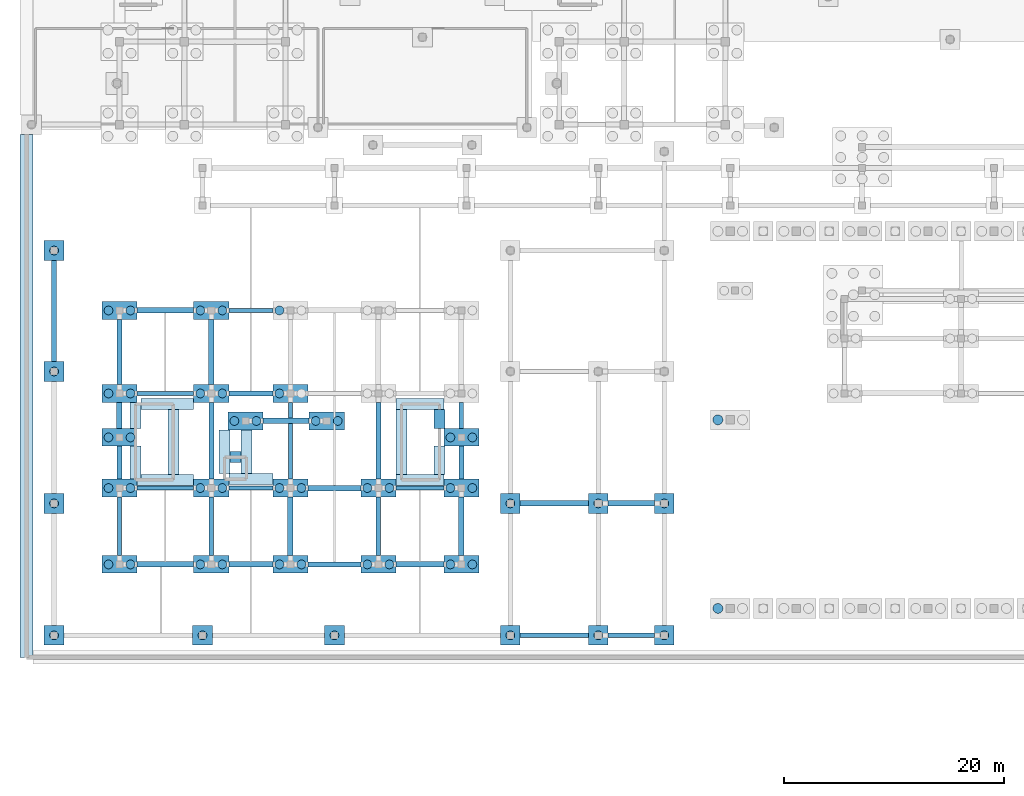
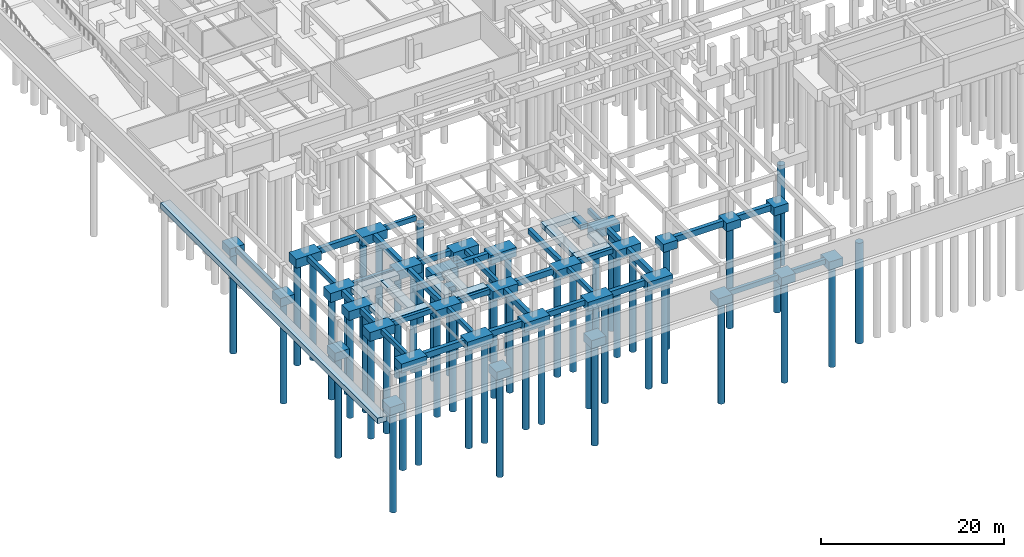
# One storey, part 1 of 35: 78 footings, 52 piles.
"""IFC4 building model written with IfcOpenShell, lengths in metres."""

from ifc_helpers import new_model, si_unit, direction, frame, origin, origin_2d, place, context, subcontext, project, spatial, rectangle, circle, extrude, material, material_profile, profile_set, type_object, element, save


model = new_model("IFC4")

# Units and contexts
model_context = context("Model", 3, precision=1e-05, world=origin(), true_north=direction((0.0, 1.0)))
body_context = subcontext(model_context, "Body", "Model", "MODEL_VIEW")
ifc_project = project(units=[si_unit("LENGTHUNIT", "METRE"), si_unit("AREAUNIT", "SQUARE_METRE"), si_unit("VOLUMEUNIT", "CUBIC_METRE"), si_unit("PLANEANGLEUNIT", "RADIAN"), si_unit("MASSUNIT", "GRAM", prefix="KILO")], contexts=[model_context])

# Site, building, storey
site_placement = place(None, origin())
site = spatial("IfcSite", under=ifc_project, at=site_placement, CompositionType="ELEMENT")
building_placement = place(site_placement, origin())
building = spatial("IfcBuilding", under=site, at=building_placement, Name="Keldmere Railside Commons", CompositionType="ELEMENT")
storey_placement = place(building_placement, frame((0.0, 0.0, -3.840087890625)))
storey = spatial("IfcBuildingStorey", under=building, at=storey_placement, Name="B1", CompositionType="ELEMENT", Elevation=-3.840087890625)

# Piles
ifc_material_1 = material(Name="Concrete H-30 (C30/37)", Category="concrete")
ifc_material_profile_1 = material_profile(ifc_material_1, circle(Radius=0.39990234375, at=origin_2d()), Name="PILE-D800")
ifc_profile_set_1 = profile_set([ifc_material_profile_1], Name="Concrete H-30 (C30/37)")
pile_type_1 = type_object("IfcPileType", Name="Bored Concrete Pile D800", PredefinedType="BORED", material=ifc_profile_set_1)
for number, where, z_axis, x_axis, name in (
    (1, (2.5, 10.0, -1.0), (0.0, 0.0, -1.0), (1.0, 0.0, 0.0), "BP-800 PILE-0033"),
    (2, (2.5, 22.0, -1.0), (0.0, 0.0, -1.0), (1.0, 0.0, 0.0), "BP-800 PILE-0034"),
    (3, (2.5, 34.0, -1.0), (0.0, 0.0, -1.0), (1.0, 0.0, 0.0), "BP-800 PILE-0035"),
    (4, (2.5, 45.0, -1.0), (0.0, 0.0, -1.0), (1.0, 0.0, 0.0), "BP-800 PILE-0036"),
):
    element("IfcPile", number, at=place(storey_placement, frame(where, z_axis=z_axis, x_axis=x_axis)), inside=storey, type_object=pile_type_1, Name=name, PredefinedType="BORED", context=body_context, shape_type="SweptSolid", body=[
        extrude(circle(Radius=0.39990234375, at=origin_2d()), origin(), (0.0, 0.0, 1.0), 13.659912109375),
    ])
for number, where, z_axis, x_axis, name in (
    (5, (7.449951171875, 16.449951171875, -1.099853515625), (0.0, 0.0, -1.0), (1.0, 0.0, 0.0), "BP-800 PILE-0040"),
    (6, (9.449951171875, 16.449951171875, -1.099853515625), (0.0, 0.0, -1.0), (1.0, 0.0, 0.0), "BP-800 PILE-0041"),
    (7, (7.449951171875, 23.39990234375, -1.099853515625), (0.0, 0.0, -1.0), (1.0, 0.0, 0.0), "BP-800 PILE-0042"),
    (8, (9.449951171875, 23.39990234375, -1.099853515625), (0.0, 0.0, -1.0), (1.0, 0.0, 0.0), "BP-800 PILE-0043"),
    (9, (7.449951171875, 28.0, -1.099853515625), (0.0, 0.0, -1.0), (1.0, 0.0, 0.0), "BP-800 PILE-0044"),
    (10, (9.449951171875, 28.0, -1.099853515625), (0.0, 0.0, -1.0), (1.0, 0.0, 0.0), "BP-800 PILE-0045"),
    (11, (7.449951171875, 32.0, -1.099853515625), (0.0, 0.0, -1.0), (1.0, 0.0, 0.0), "BP-800 PILE-0046"),
    (12, (9.449951171875, 32.0, -1.099853515625), (0.0, 0.0, -1.0), (1.0, 0.0, 0.0), "BP-800 PILE-0047"),
    (13, (7.449951171875, 39.550048828125, -1.099853515625), (0.0, 0.0, -1.0), (1.0, 0.0, 0.0), "BP-800 PILE-0048"),
    (14, (9.449951171875, 39.550048828125, -1.099853515625), (0.0, 0.0, -1.0), (1.0, 0.0, 0.0), "BP-800 PILE-0049"),
):
    element("IfcPile", number, at=place(storey_placement, frame(where, z_axis=z_axis, x_axis=x_axis)), inside=storey, type_object=pile_type_1, Name=name, PredefinedType="BORED", context=body_context, shape_type="SweptSolid", body=[
        extrude(circle(Radius=0.39990234375, at=origin_2d()), origin(), (0.0, 0.0, 1.0), 13.56005859375),
    ])
pile_1_placement = place(storey_placement, frame((16.0, 10.0, -1.0), z_axis=(0.0, 0.0, -1.0), x_axis=(1.0, 0.0, 0.0)))
element("IfcPile", 15, at=pile_1_placement, inside=storey, type_object=pile_type_1, Name="BP-800 PILE-0103", PredefinedType="BORED", context=body_context, shape_type="SweptSolid", body=[
    extrude(circle(Radius=0.39990234375, at=origin_2d()), origin(), (0.0, 0.0, 1.0), 13.659912109375),
])
for number, where, z_axis, x_axis, name in (
    (16, (15.800048828125, 16.449951171875, -1.099853515625), (0.0, 0.0, -1.0), (1.0, 0.0, 0.0), "BP-800 PILE-0104"),
    (17, (17.800048828125, 16.449951171875, -1.099853515625), (0.0, 0.0, -1.0), (1.0, 0.0, 0.0), "BP-800 PILE-0105"),
    (18, (15.800048828125, 23.39990234375, -1.099853515625), (0.0, 0.0, -1.0), (1.0, 0.0, 0.0), "BP-800 PILE-0106"),
    (19, (17.800048828125, 23.39990234375, -1.099853515625), (0.0, 0.0, -1.0), (1.0, 0.0, 0.0), "BP-800 PILE-0107"),
    (20, (15.800048828125, 32.0, -1.099853515625), (0.0, 0.0, -1.0), (1.0, 0.0, 0.0), "BP-800 PILE-0108"),
    (21, (17.800048828125, 32.0, -1.099853515625), (0.0, 0.0, -1.0), (1.0, 0.0, 0.0), "BP-800 PILE-0109"),
    (22, (15.800048828125, 39.550048828125, -1.099853515625), (0.0, 0.0, -1.0), (1.0, 0.0, 0.0), "BP-800 PILE-0110"),
    (23, (17.800048828125, 39.550048828125, -1.099853515625), (0.0, 0.0, -1.0), (1.0, 0.0, 0.0), "BP-800 PILE-0111"),
    (24, (18.89990234375, 29.5, -1.099853515625), (0.0, 0.0, -1.0), (1.0, 0.0, 0.0), "BP-800 PILE-0120"),
    (25, (20.89990234375, 29.5, -1.099853515625), (0.0, 0.0, -1.0), (1.0, 0.0, 0.0), "BP-800 PILE-0121"),
    (26, (23.0, 16.449951171875, -1.099853515625), (0.0, 0.0, -1.0), (1.0, 0.0, 0.0), "BP-800 PILE-0146"),
    (27, (25.0, 16.449951171875, -1.099853515625), (0.0, 0.0, -1.0), (1.0, 0.0, 0.0), "BP-800 PILE-0147"),
    (28, (23.0, 23.39990234375, -1.099853515625), (0.0, 0.0, -1.0), (1.0, 0.0, 0.0), "BP-800 PILE-0148"),
    (29, (25.0, 23.39990234375, -1.099853515625), (0.0, 0.0, -1.0), (1.0, 0.0, 0.0), "BP-800 PILE-0149"),
    (30, (23.0, 32.0, -1.099853515625), (0.0, 0.0, -1.0), (1.0, 0.0, 0.0), "BP-800 PILE-0150"),
    (31, (23.0, 39.550048828125, -1.099853515625), (0.0, 0.0, -1.0), (1.0, 0.0, 0.0), "BP-800 PILE-0152"),
    (32, (26.300048828125, 29.5, -1.099853515625), (0.0, 0.0, -1.0), (1.0, 0.0, 0.0), "BP-800 PILE-0167"),
    (33, (28.300048828125, 29.5, -1.099853515625), (0.0, 0.0, -1.0), (1.0, 0.0, 0.0), "BP-800 PILE-0168"),
):
    element("IfcPile", number, at=place(storey_placement, frame(where, z_axis=z_axis, x_axis=x_axis)), inside=storey, type_object=pile_type_1, Name=name, PredefinedType="BORED", context=body_context, shape_type="SweptSolid", body=[
        extrude(circle(Radius=0.39990234375, at=origin_2d()), origin(), (0.0, 0.0, 1.0), 13.56005859375),
    ])
pile_2_placement = place(storey_placement, frame((28.0, 10.0, -1.0), z_axis=(0.0, 0.0, -1.0), x_axis=(1.0, 0.0, 0.0)))
element("IfcPile", 34, at=pile_2_placement, inside=storey, type_object=pile_type_1, Name="BP-800 PILE-0169", PredefinedType="BORED", context=body_context, shape_type="SweptSolid", body=[
    extrude(circle(Radius=0.39990234375, at=origin_2d()), origin(), (0.0, 0.0, 1.0), 13.659912109375),
])
for number, where, z_axis, x_axis, name in (
    (35, (31.0, 16.449951171875, -1.099853515625), (0.0, 0.0, -1.0), (1.0, 0.0, 0.0), "BP-800 PILE-0173"),
    (36, (33.0, 16.449951171875, -1.099853515625), (0.0, 0.0, -1.0), (1.0, 0.0, 0.0), "BP-800 PILE-0174"),
    (37, (31.0, 23.39990234375, -1.099853515625), (0.0, 0.0, -1.0), (1.0, 0.0, 0.0), "BP-800 PILE-0175"),
    (38, (33.0, 23.39990234375, -1.099853515625), (0.0, 0.0, -1.0), (1.0, 0.0, 0.0), "BP-800 PILE-0176"),
    (39, (38.550048828125, 16.449951171875, -1.099853515625), (0.0, 0.0, -1.0), (1.0, 0.0, 0.0), "BP-800 PILE-0191"),
    (40, (40.550048828125, 16.449951171875, -1.099853515625), (0.0, 0.0, -1.0), (1.0, 0.0, 0.0), "BP-800 PILE-0192"),
    (41, (38.550048828125, 23.39990234375, -1.099853515625), (0.0, 0.0, -1.0), (1.0, 0.0, 0.0), "BP-800 PILE-0193"),
    (42, (40.550048828125, 23.39990234375, -1.099853515625), (0.0, 0.0, -1.0), (1.0, 0.0, 0.0), "BP-800 PILE-0194"),
    (43, (38.550048828125, 28.0, -1.099853515625), (0.0, 0.0, -1.0), (1.0, 0.0, 0.0), "BP-800 PILE-0195"),
    (44, (40.550048828125, 28.0, -1.099853515625), (0.0, 0.0, -1.0), (1.0, 0.0, 0.0), "BP-800 PILE-0196"),
):
    element("IfcPile", number, at=place(storey_placement, frame(where, z_axis=z_axis, x_axis=x_axis)), inside=storey, type_object=pile_type_1, Name=name, PredefinedType="BORED", context=body_context, shape_type="SweptSolid", body=[
        extrude(circle(Radius=0.39990234375, at=origin_2d()), origin(), (0.0, 0.0, 1.0), 13.56005859375),
    ])
for number, where, z_axis, x_axis, name in (
    (45, (44.0, 10.0, -1.0), (0.0, 0.0, -1.0), (1.0, 0.0, 0.0), "BP-800 PILE-0216"),
    (46, (44.0, 22.0, -1.0), (0.0, 0.0, -1.0), (1.0, 0.0, 0.0), "BP-800 PILE-0217"),
    (47, (52.0, 10.0, -1.0), (0.0, 0.0, -1.0), (1.0, 0.0, 0.0), "BP-800 PILE-0255"),
    (48, (52.0, 22.0, -1.0), (0.0, 0.0, -1.0), (1.0, 0.0, 0.0), "BP-800 PILE-0256"),
    (49, (58.0, 10.0, -1.0), (0.0, 0.0, -1.0), (1.0, 0.0, 0.0), "BP-800 PILE-0291"),
    (50, (58.0, 22.0, -1.0), (0.0, 0.0, -1.0), (1.0, 0.0, 0.0), "BP-800 PILE-0292"),
):
    element("IfcPile", number, at=place(storey_placement, frame(where, z_axis=z_axis, x_axis=x_axis)), inside=storey, type_object=pile_type_1, Name=name, PredefinedType="BORED", context=body_context, shape_type="SweptSolid", body=[
        extrude(circle(Radius=0.39990234375, at=origin_2d()), origin(), (0.0, 0.0, 1.0), 13.659912109375),
    ])
ifc_material_profile_2 = material_profile(ifc_material_1, circle(Radius=0.449951171875, at=origin_2d()), Name="PILE-D900")
ifc_profile_set_2 = profile_set([ifc_material_profile_2], Name="Concrete H-30 (C30/37)")
pile_type_2 = type_object("IfcPileType", Name="Bored Concrete Pile D900", PredefinedType="BORED", material=ifc_profile_set_2)
for number, where, z_axis, x_axis, name in (
    (51, (62.8798828125, 12.449951171875, -1.199951171875), (0.0, 0.0, -1.0), (1.0, 0.0, 0.0), "BP-900 PILE-0320"),
    (52, (62.8798828125, 29.60009765625, -1.199951171875), (0.0, 0.0, -1.0), (1.0, 0.0, 0.0), "BP-900 PILE-0322"),
):
    element("IfcPile", number, at=place(storey_placement, frame(where, z_axis=z_axis, x_axis=x_axis)), inside=storey, type_object=pile_type_2, Name=name, PredefinedType="BORED", context=body_context, shape_type="SweptSolid", body=[
        extrude(circle(Radius=0.449951171875, at=origin_2d()), origin(), (0.0, 0.0, 1.0), 13.4599609375),
    ])

# Footings
ifc_material_2 = material(Name="Concrete H-40 (C40/50)", Category="concrete")
footing_type_1 = type_object("IfcFootingType", Name="Perimeter Ground Tie Beam 400x650", PredefinedType="FOOTING_BEAM", material=ifc_material_2)
footing_1_placement = place(storey_placement, frame((8.449951171875, 19.925048828125, -0.64990234375), z_axis=(0.0, 0.0, 1.0), x_axis=(0.0, 1.0, 0.0)))
element("IfcFooting", 53, at=footing_1_placement, inside=storey, type_object=footing_type_1, Name="GB-03 GB-008", PredefinedType="FOOTING_BEAM", context=body_context, shape_type="SweptSolid", body=[
    extrude(rectangle(XDim=5.35009765625, YDim=0.39990234375, at=origin_2d()), origin(), (0.0, 0.0, 1.0), 0.64990234375),
])
for number, where, z_axis, x_axis, name in (
    (54, (12.625, 23.39990234375, -0.64990234375), (0.0, 0.0, 1.0), (1.0, 0.0, 0.0), "GB-03 GB-011"),
    (55, (12.625, 32.0, -0.64990234375), (0.0, 0.0, 1.0), (1.0, 0.0, 0.0), "GB-03 GB-014"),
):
    element("IfcFooting", number, at=place(storey_placement, frame(where, z_axis=z_axis, x_axis=x_axis)), inside=storey, type_object=footing_type_1, Name=name, PredefinedType="FOOTING_BEAM", context=body_context, shape_type="SweptSolid", body=[
        extrude(rectangle(XDim=5.14990234375, YDim=0.39990234375, at=origin_2d()), origin(), (0.0, 0.0, 1.0), 0.64990234375),
    ])
footing_2_placement = place(storey_placement, frame((16.800048828125, 19.925048828125, -0.64990234375), z_axis=(0.0, 0.0, 1.0), x_axis=(0.0, 1.0, 0.0)))
element("IfcFooting", 56, at=footing_2_placement, inside=storey, type_object=footing_type_1, Name="GB-03 GB-035", PredefinedType="FOOTING_BEAM", context=body_context, shape_type="SweptSolid", body=[
    extrude(rectangle(XDim=5.35009765625, YDim=0.39990234375, at=origin_2d()), origin(), (0.0, 0.0, 1.0), 0.64990234375),
])
for number, where, z_axis, x_axis, name in (
    (57, (20.39990234375, 23.39990234375, -0.64990234375), (0.0, 0.0, 1.0), (1.0, 0.0, 0.0), "GB-03 GB-038"),
    (58, (20.39990234375, 39.550048828125, -0.64990234375), (0.0, 0.0, 1.0), (1.0, 0.0, 0.0), "GB-03 GB-041"),
):
    element("IfcFooting", number, at=place(storey_placement, frame(where, z_axis=z_axis, x_axis=x_axis)), inside=storey, type_object=footing_type_1, Name=name, PredefinedType="FOOTING_BEAM", context=body_context, shape_type="SweptSolid", body=[
        extrude(rectangle(XDim=4.0, YDim=0.39990234375, at=origin_2d()), origin(), (0.0, 0.0, 1.0), 0.64990234375),
    ])
footing_3_placement = place(storey_placement, frame((24.0, 27.699951171875, -0.64990234375), z_axis=(0.0, 0.0, 1.0), x_axis=(0.0, 1.0, 0.0)))
element("IfcFooting", 59, at=footing_3_placement, inside=storey, type_object=footing_type_1, Name="GB-03 GB-053", PredefinedType="FOOTING_BEAM", context=body_context, shape_type="SweptSolid", body=[
    extrude(rectangle(XDim=7.0, YDim=0.39990234375, at=origin_2d()), origin(), (0.0, 0.0, 1.0), 0.64990234375),
])
footing_4_placement = place(storey_placement, frame((32.0, 19.925048828125, -0.64990234375), z_axis=(0.0, 0.0, 1.0), x_axis=(0.0, 1.0, 0.0)))
element("IfcFooting", 60, at=footing_4_placement, inside=storey, type_object=footing_type_1, Name="GB-03 GB-065", PredefinedType="FOOTING_BEAM", context=body_context, shape_type="SweptSolid", body=[
    extrude(rectangle(XDim=5.35009765625, YDim=0.39990234375, at=origin_2d()), origin(), (0.0, 0.0, 1.0), 0.64990234375),
])
footing_5_placement = place(storey_placement, frame((35.77490234375, 23.39990234375, -0.64990234375), z_axis=(0.0, 0.0, 1.0), x_axis=(1.0, 0.0, 0.0)))
element("IfcFooting", 61, at=footing_5_placement, inside=storey, type_object=footing_type_1, Name="GB-03 GB-068", PredefinedType="FOOTING_BEAM", context=body_context, shape_type="SweptSolid", body=[
    extrude(rectangle(XDim=4.35009765625, YDim=0.39990234375, at=origin_2d()), origin(), (0.0, 0.0, 1.0), 0.64990234375),
])
footing_6_placement = place(storey_placement, frame((39.550048828125, 30.0, -0.64990234375), z_axis=(0.0, 0.0, 1.0), x_axis=(0.0, 1.0, 0.0)))
element("IfcFooting", 62, at=footing_6_placement, inside=storey, type_object=footing_type_1, Name="GB-03 GB-077", PredefinedType="FOOTING_BEAM", context=body_context, shape_type="SweptSolid", body=[
    extrude(rectangle(XDim=2.39990234375, YDim=0.39990234375, at=origin_2d()), origin(), (0.0, 0.0, 1.0), 0.64990234375),
])
footing_7_placement = place(storey_placement, frame((48.0, 10.0, -0.64990234375), z_axis=(0.0, 0.0, 1.0), x_axis=(1.0, 0.0, 0.0)))
element("IfcFooting", 63, at=footing_7_placement, inside=storey, type_object=footing_type_1, Name="GB-03 GB-086", PredefinedType="FOOTING_BEAM", context=body_context, shape_type="SweptSolid", body=[
    extrude(rectangle(XDim=6.199951171875, YDim=0.39990234375, at=origin_2d()), origin(), (0.0, 0.0, 1.0), 0.64990234375),
])
footing_8_placement = place(storey_placement, frame((55.0, 10.0, -0.64990234375), z_axis=(0.0, 0.0, 1.0), x_axis=(1.0, 0.0, 0.0)))
element("IfcFooting", 64, at=footing_8_placement, inside=storey, type_object=footing_type_1, Name="GB-03 GB-101", PredefinedType="FOOTING_BEAM", context=body_context, shape_type="SweptSolid", body=[
    extrude(rectangle(XDim=4.199951171875, YDim=0.39990234375, at=origin_2d()), origin(), (0.0, 0.0, 1.0), 0.64990234375),
])
footing_type_2 = type_object("IfcFootingType", Name="Primary Ground Tie Beam 500x800", PredefinedType="FOOTING_BEAM", material=ifc_material_2)
footing_9_placement = place(storey_placement, frame((12.625, 16.449951171875, -0.7998046875), z_axis=(0.0, 0.0, 1.0), x_axis=(1.0, 0.0, 0.0)))
element("IfcFooting", 65, at=footing_9_placement, inside=storey, type_object=footing_type_2, Name="GB-01 GB-009", PredefinedType="FOOTING_BEAM", context=body_context, shape_type="SweptSolid", body=[
    extrude(rectangle(XDim=5.14990234375, YDim=0.5, at=origin_2d()), origin(), (0.0, 0.0, 1.0), 0.800048828125),
])
footing_10_placement = place(storey_placement, frame((8.449951171875, 30.0, -0.7998046875), z_axis=(0.0, 0.0, 1.0), x_axis=(0.0, 1.0, 0.0)))
element("IfcFooting", 66, at=footing_10_placement, inside=storey, type_object=footing_type_2, Name="GB-01 GB-012", PredefinedType="FOOTING_BEAM", context=body_context, shape_type="SweptSolid", body=[
    extrude(rectangle(XDim=2.39990234375, YDim=0.5, at=origin_2d()), origin(), (0.0, 0.0, 1.0), 0.800048828125),
])
footing_11_placement = place(storey_placement, frame((12.625, 39.550048828125, -0.7998046875), z_axis=(0.0, 0.0, 1.0), x_axis=(1.0, 0.0, 0.0)))
element("IfcFooting", 67, at=footing_11_placement, inside=storey, type_object=footing_type_2, Name="GB-01 GB-015", PredefinedType="FOOTING_BEAM", context=body_context, shape_type="SweptSolid", body=[
    extrude(rectangle(XDim=5.14990234375, YDim=0.5, at=origin_2d()), origin(), (0.0, 0.0, 1.0), 0.800048828125),
])
footing_12_placement = place(storey_placement, frame((20.39990234375, 16.449951171875, -0.7998046875), z_axis=(0.0, 0.0, 1.0), x_axis=(1.0, 0.0, 0.0)))
element("IfcFooting", 68, at=footing_12_placement, inside=storey, type_object=footing_type_2, Name="GB-01 GB-036", PredefinedType="FOOTING_BEAM", context=body_context, shape_type="SweptSolid", body=[
    extrude(rectangle(XDim=4.0, YDim=0.5, at=origin_2d()), origin(), (0.0, 0.0, 1.0), 0.800048828125),
])
footing_13_placement = place(storey_placement, frame((16.800048828125, 35.77490234375, -0.7998046875), z_axis=(0.0, 0.0, 1.0), x_axis=(0.0, 1.0, 0.0)))
element("IfcFooting", 69, at=footing_13_placement, inside=storey, type_object=footing_type_2, Name="GB-01 GB-039", PredefinedType="FOOTING_BEAM", context=body_context, shape_type="SweptSolid", body=[
    extrude(rectangle(XDim=5.949951171875, YDim=0.5, at=origin_2d()), origin(), (0.0, 0.0, 1.0), 0.800048828125),
])
footing_14_placement = place(storey_placement, frame((23.60009765625, 29.5, -0.7998046875), z_axis=(0.0, 0.0, 1.0), x_axis=(1.0, 0.0, 0.0)))
element("IfcFooting", 70, at=footing_14_placement, inside=storey, type_object=footing_type_2, Name="GB-01 GB-045", PredefinedType="FOOTING_BEAM", context=body_context, shape_type="SweptSolid", body=[
    extrude(rectangle(XDim=4.199951171875, YDim=0.5, at=origin_2d()), origin(), (0.0, 0.0, 1.0), 0.800048828125),
])
footing_15_placement = place(storey_placement, frame((24.0, 19.925048828125, -0.7998046875), z_axis=(0.0, 0.0, 1.0), x_axis=(0.0, 1.0, 0.0)))
element("IfcFooting", 71, at=footing_15_placement, inside=storey, type_object=footing_type_2, Name="GB-01 GB-051", PredefinedType="FOOTING_BEAM", context=body_context, shape_type="SweptSolid", body=[
    extrude(rectangle(XDim=5.35009765625, YDim=0.5, at=origin_2d()), origin(), (0.0, 0.0, 1.0), 0.800048828125),
])
footing_16_placement = place(storey_placement, frame((28.0, 23.39990234375, -0.7998046875), z_axis=(0.0, 0.0, 1.0), x_axis=(1.0, 0.0, 0.0)))
element("IfcFooting", 72, at=footing_16_placement, inside=storey, type_object=footing_type_2, Name="GB-01 GB-054", PredefinedType="FOOTING_BEAM", context=body_context, shape_type="SweptSolid", body=[
    extrude(rectangle(XDim=4.800048828125, YDim=0.5, at=origin_2d()), origin(), (0.0, 0.0, 1.0), 0.800048828125),
])
footing_17_placement = place(storey_placement, frame((35.77490234375, 16.449951171875, -0.7998046875), z_axis=(0.0, 0.0, 1.0), x_axis=(1.0, 0.0, 0.0)))
element("IfcFooting", 73, at=footing_17_placement, inside=storey, type_object=footing_type_2, Name="GB-01 GB-066", PredefinedType="FOOTING_BEAM", context=body_context, shape_type="SweptSolid", body=[
    extrude(rectangle(XDim=4.35009765625, YDim=0.5, at=origin_2d()), origin(), (0.0, 0.0, 1.0), 0.800048828125),
])
footing_18_placement = place(storey_placement, frame((39.550048828125, 19.925048828125, -0.7998046875), z_axis=(0.0, 0.0, 1.0), x_axis=(0.0, 1.0, 0.0)))
element("IfcFooting", 74, at=footing_18_placement, inside=storey, type_object=footing_type_2, Name="GB-01 GB-075", PredefinedType="FOOTING_BEAM", context=body_context, shape_type="SweptSolid", body=[
    extrude(rectangle(XDim=5.35009765625, YDim=0.5, at=origin_2d()), origin(), (0.0, 0.0, 1.0), 0.800048828125),
])
footing_19_placement = place(storey_placement, frame((48.0, 22.0, -0.7998046875), z_axis=(0.0, 0.0, 1.0), x_axis=(1.0, 0.0, 0.0)))
element("IfcFooting", 75, at=footing_19_placement, inside=storey, type_object=footing_type_2, Name="GB-01 GB-087", PredefinedType="FOOTING_BEAM", context=body_context, shape_type="SweptSolid", body=[
    extrude(rectangle(XDim=6.199951171875, YDim=0.5, at=origin_2d()), origin(), (0.0, 0.0, 1.0), 0.800048828125),
])
footing_20_placement = place(storey_placement, frame((55.0, 22.0, -0.7998046875), z_axis=(0.0, 0.0, 1.0), x_axis=(1.0, 0.0, 0.0)))
element("IfcFooting", 76, at=footing_20_placement, inside=storey, type_object=footing_type_2, Name="GB-01 GB-102", PredefinedType="FOOTING_BEAM", context=body_context, shape_type="SweptSolid", body=[
    extrude(rectangle(XDim=4.199951171875, YDim=0.5, at=origin_2d()), origin(), (0.0, 0.0, 1.0), 0.800048828125),
])
footing_type_3 = type_object("IfcFootingType", Name="Ramp Wall Strip Footing 1000x650", PredefinedType="STRIP_FOOTING", material=ifc_material_2)
for number, where, z_axis, x_axis, name in (
    (77, (20.0, 26.699951171875, -0.64990234375), (0.0, 0.0, 1.0), (0.0, 1.0, 0.0), "SF-02 WSF-067"),
    (78, (18.0, 26.699951171875, -0.64990234375), (0.0, 0.0, 1.0), (0.0, 1.0, 0.0), "SF-02 WSF-068"),
):
    element("IfcFooting", number, at=place(storey_placement, frame(where, z_axis=z_axis, x_axis=x_axis)), inside=storey, type_object=footing_type_3, Name=name, PredefinedType="STRIP_FOOTING", context=body_context, shape_type="SweptSolid", body=[
        extrude(rectangle(XDim=4.0, YDim=1.0, at=origin_2d()), origin(), (0.0, 0.0, 1.0), 0.64990234375),
    ])
footing_21_placement = place(storey_placement, frame((19.0, 26.199951171875, -0.64990234375), z_axis=(0.0, 0.0, 1.0), x_axis=(1.0, 0.0, 0.0)))
element("IfcFooting", 79, at=footing_21_placement, inside=storey, type_object=footing_type_3, Name="SF-02 WSF-069", PredefinedType="STRIP_FOOTING", context=body_context, shape_type="SweptSolid", body=[
    extrude(rectangle(XDim=1.0, YDim=1.0, at=origin_2d()), origin(), (0.0, 0.0, 1.0), 0.64990234375),
])
footing_22_placement = place(storey_placement, frame((20.39990234375, 24.199951171875, -0.64990234375), z_axis=(0.0, 0.0, 1.0), x_axis=(1.0, 0.0, 0.0)))
element("IfcFooting", 80, at=footing_22_placement, inside=storey, type_object=footing_type_3, Name="SF-02 WSF-070", PredefinedType="STRIP_FOOTING", context=body_context, shape_type="SweptSolid", body=[
    extrude(rectangle(XDim=4.0, YDim=1.0, at=origin_2d()), origin(), (0.0, 0.0, 1.0), 0.64990234375),
])
footing_23_placement = place(storey_placement, frame((13.35009765625, 27.60009765625, -0.64990234375), z_axis=(0.0, 0.0, 1.0), x_axis=(0.0, 1.0, 0.0)))
element("IfcFooting", 81, at=footing_23_placement, inside=storey, type_object=footing_type_3, Name="SF-02 WSF-103", PredefinedType="STRIP_FOOTING", context=body_context, shape_type="SweptSolid", body=[
    extrude(rectangle(XDim=5.89990234375, YDim=1.0, at=origin_2d()), origin(), (0.0, 0.0, 1.0), 0.64990234375),
])
footing_24_placement = place(storey_placement, frame((12.800048828125, 31.050048828125, -0.64990234375), z_axis=(0.0, 0.0, 1.0), x_axis=(1.0, 0.0, 0.0)))
element("IfcFooting", 82, at=footing_24_placement, inside=storey, type_object=footing_type_3, Name="SF-02 WSF-104", PredefinedType="STRIP_FOOTING", context=body_context, shape_type="SweptSolid", body=[
    extrude(rectangle(XDim=4.800048828125, YDim=1.0, at=origin_2d()), origin(), (0.0, 0.0, 1.0), 0.64990234375),
])
footing_25_placement = place(storey_placement, frame((12.625, 24.14990234375, -0.64990234375), z_axis=(0.0, 0.0, 1.0), x_axis=(1.0, 0.0, 0.0)))
element("IfcFooting", 83, at=footing_25_placement, inside=storey, type_object=footing_type_3, Name="SF-02 WSF-105", PredefinedType="STRIP_FOOTING", context=body_context, shape_type="SweptSolid", body=[
    extrude(rectangle(XDim=5.14990234375, YDim=1.0, at=origin_2d()), origin(), (0.0, 0.0, 1.0), 0.64990234375),
])
footing_26_placement = place(storey_placement, frame((9.89990234375, 25.699951171875, -0.64990234375), z_axis=(0.0, 0.0, 1.0), x_axis=(0.0, 1.0, 0.0)))
element("IfcFooting", 84, at=footing_26_placement, inside=storey, type_object=footing_type_3, Name="SF-02 WSF-106", PredefinedType="STRIP_FOOTING", context=body_context, shape_type="SweptSolid", body=[
    extrude(rectangle(XDim=3.0, YDim=1.0, at=origin_2d()), origin(), (0.0, 0.0, 1.0), 0.64990234375),
])
footing_27_placement = place(storey_placement, frame((9.89990234375, 30.0, -0.64990234375), z_axis=(0.0, 0.0, 1.0), x_axis=(0.0, 1.0, 0.0)))
element("IfcFooting", 85, at=footing_27_placement, inside=storey, type_object=footing_type_3, Name="SF-02 WSF-107", PredefinedType="STRIP_FOOTING", context=body_context, shape_type="SweptSolid", body=[
    extrude(rectangle(XDim=2.39990234375, YDim=1.0, at=origin_2d()), origin(), (0.0, 0.0, 1.0), 0.64990234375),
])
footing_28_placement = place(storey_placement, frame((37.550048828125, 25.925048828125, -0.64990234375), z_axis=(0.0, 0.0, 1.0), x_axis=(0.0, 1.0, 0.0)))
element("IfcFooting", 86, at=footing_28_placement, inside=storey, type_object=footing_type_3, Name="SF-02 WSF-108", PredefinedType="STRIP_FOOTING", context=body_context, shape_type="SweptSolid", body=[
    extrude(rectangle(XDim=2.550048828125, YDim=1.0, at=origin_2d()), origin(), (0.0, 0.0, 1.0), 0.64990234375),
])
footing_29_placement = place(storey_placement, frame((37.550048828125, 29.675048828125, -0.64990234375), z_axis=(0.0, 0.0, 1.0), x_axis=(0.0, 1.0, 0.0)))
element("IfcFooting", 87, at=footing_29_placement, inside=storey, type_object=footing_type_3, Name="SF-02 WSF-109", PredefinedType="STRIP_FOOTING", context=body_context, shape_type="SweptSolid", body=[
    extrude(rectangle(XDim=1.75, YDim=1.0, at=origin_2d()), origin(), (0.0, 0.0, 1.0), 0.64990234375),
])
for number, where, z_axis, x_axis, name in (
    (88, (35.77490234375, 31.050048828125, -0.64990234375), (0.0, 0.0, 1.0), (1.0, 0.0, 0.0), "SF-02 WSF-110"),
    (89, (35.77490234375, 24.14990234375, -0.64990234375), (0.0, 0.0, 1.0), (1.0, 0.0, 0.0), "SF-02 WSF-111"),
):
    element("IfcFooting", number, at=place(storey_placement, frame(where, z_axis=z_axis, x_axis=x_axis)), inside=storey, type_object=footing_type_3, Name=name, PredefinedType="STRIP_FOOTING", context=body_context, shape_type="SweptSolid", body=[
        extrude(rectangle(XDim=4.35009765625, YDim=1.0, at=origin_2d()), origin(), (0.0, 0.0, 1.0), 0.64990234375),
    ])
footing_30_placement = place(storey_placement, frame((34.10009765625, 27.60009765625, -0.64990234375), z_axis=(0.0, 0.0, 1.0), x_axis=(0.0, 1.0, 0.0)))
element("IfcFooting", 90, at=footing_30_placement, inside=storey, type_object=footing_type_3, Name="SF-02 WSF-112", PredefinedType="STRIP_FOOTING", context=body_context, shape_type="SweptSolid", body=[
    extrude(rectangle(XDim=5.89990234375, YDim=1.0, at=origin_2d()), origin(), (0.0, 0.0, 1.0), 0.64990234375),
])
footing_type_4 = type_object("IfcFootingType", Name="Retaining Wall Strip Footing 1200x750", PredefinedType="STRIP_FOOTING", material=ifc_material_2)
footing_31_placement = place(storey_placement, frame((0.0, 31.77490234375, -0.75), z_axis=(0.0, 0.0, 1.0), x_axis=(0.0, 1.0, 0.0)))
element("IfcFooting", 91, at=footing_31_placement, inside=storey, type_object=footing_type_4, Name="SF-01 WSF-001", PredefinedType="STRIP_FOOTING", context=body_context, shape_type="SweptSolid", body=[
    extrude(rectangle(XDim=47.550048828125, YDim=1.199951171875, at=origin_2d()), origin(), (0.0, 0.0, 1.0), 0.75),
])
footing_type_5 = type_object("IfcFootingType", Name="Secondary Ground Tie Beam 450x700", PredefinedType="FOOTING_BEAM", material=ifc_material_2)
footing_32_placement = place(storey_placement, frame((2.5, 39.5, -0.69970703125), z_axis=(0.0, 0.0, 1.0), x_axis=(0.0, 1.0, 0.0)))
element("IfcFooting", 92, at=footing_32_placement, inside=storey, type_object=footing_type_5, Name="GB-02 GB-004", PredefinedType="FOOTING_BEAM", context=body_context, shape_type="SweptSolid", body=[
    extrude(rectangle(XDim=9.199951171875, YDim=0.449951171875, at=origin_2d()), origin(), (0.0, 0.0, 1.0), 0.699951171875),
])
footing_33_placement = place(storey_placement, frame((8.449951171875, 25.699951171875, -0.69970703125), z_axis=(0.0, 0.0, 1.0), x_axis=(0.0, 1.0, 0.0)))
element("IfcFooting", 93, at=footing_33_placement, inside=storey, type_object=footing_type_5, Name="GB-02 GB-010", PredefinedType="FOOTING_BEAM", context=body_context, shape_type="SweptSolid", body=[
    extrude(rectangle(XDim=3.0, YDim=0.449951171875, at=origin_2d()), origin(), (0.0, 0.0, 1.0), 0.699951171875),
])
footing_34_placement = place(storey_placement, frame((8.449951171875, 35.77490234375, -0.69970703125), z_axis=(0.0, 0.0, 1.0), x_axis=(0.0, 1.0, 0.0)))
element("IfcFooting", 94, at=footing_34_placement, inside=storey, type_object=footing_type_5, Name="GB-02 GB-013", PredefinedType="FOOTING_BEAM", context=body_context, shape_type="SweptSolid", body=[
    extrude(rectangle(XDim=5.949951171875, YDim=0.449951171875, at=origin_2d()), origin(), (0.0, 0.0, 1.0), 0.699951171875),
])
footing_35_placement = place(storey_placement, frame((16.800048828125, 27.699951171875, -0.69970703125), z_axis=(0.0, 0.0, 1.0), x_axis=(0.0, 1.0, 0.0)))
element("IfcFooting", 95, at=footing_35_placement, inside=storey, type_object=footing_type_5, Name="GB-02 GB-037", PredefinedType="FOOTING_BEAM", context=body_context, shape_type="SweptSolid", body=[
    extrude(rectangle(XDim=7.0, YDim=0.449951171875, at=origin_2d()), origin(), (0.0, 0.0, 1.0), 0.699951171875),
])
footing_36_placement = place(storey_placement, frame((20.39990234375, 32.0, -0.69970703125), z_axis=(0.0, 0.0, 1.0), x_axis=(1.0, 0.0, 0.0)))
element("IfcFooting", 96, at=footing_36_placement, inside=storey, type_object=footing_type_5, Name="GB-02 GB-040", PredefinedType="FOOTING_BEAM", context=body_context, shape_type="SweptSolid", body=[
    extrude(rectangle(XDim=4.0, YDim=0.449951171875, at=origin_2d()), origin(), (0.0, 0.0, 1.0), 0.699951171875),
])
footing_37_placement = place(storey_placement, frame((28.0, 16.449951171875, -0.69970703125), z_axis=(0.0, 0.0, 1.0), x_axis=(1.0, 0.0, 0.0)))
element("IfcFooting", 97, at=footing_37_placement, inside=storey, type_object=footing_type_5, Name="GB-02 GB-052", PredefinedType="FOOTING_BEAM", context=body_context, shape_type="SweptSolid", body=[
    extrude(rectangle(XDim=4.800048828125, YDim=0.449951171875, at=origin_2d()), origin(), (0.0, 0.0, 1.0), 0.699951171875),
])
footing_38_placement = place(storey_placement, frame((32.0, 27.699951171875, -0.69970703125), z_axis=(0.0, 0.0, 1.0), x_axis=(0.0, 1.0, 0.0)))
element("IfcFooting", 98, at=footing_38_placement, inside=storey, type_object=footing_type_5, Name="GB-02 GB-067", PredefinedType="FOOTING_BEAM", context=body_context, shape_type="SweptSolid", body=[
    extrude(rectangle(XDim=7.0, YDim=0.449951171875, at=origin_2d()), origin(), (0.0, 0.0, 1.0), 0.699951171875),
])
footing_39_placement = place(storey_placement, frame((39.550048828125, 25.699951171875, -0.69970703125), z_axis=(0.0, 0.0, 1.0), x_axis=(0.0, 1.0, 0.0)))
element("IfcFooting", 99, at=footing_39_placement, inside=storey, type_object=footing_type_5, Name="GB-02 GB-076", PredefinedType="FOOTING_BEAM", context=body_context, shape_type="SweptSolid", body=[
    extrude(rectangle(XDim=3.0, YDim=0.449951171875, at=origin_2d()), origin(), (0.0, 0.0, 1.0), 0.699951171875),
])
footing_type_6 = type_object("IfcFootingType", Name="Single-Pile Cap 1800x1800x1100", PredefinedType="PILE_CAP", material=ifc_material_2)
for number, where, z_axis, x_axis, name in (
    (100, (2.5, 10.0, -1.099853515625), (0.0, 0.0, 1.0), (1.0, 0.0, 0.0), "PC-01 FTG-009"),
    (101, (2.5, 22.0, -1.099853515625), (0.0, 0.0, 1.0), (1.0, 0.0, 0.0), "PC-01 FTG-010"),
    (102, (2.5, 34.0, -1.099853515625), (0.0, 0.0, 1.0), (1.0, 0.0, 0.0), "PC-01 FTG-011"),
    (103, (2.5, 45.0, -1.099853515625), (0.0, 0.0, 1.0), (1.0, 0.0, 0.0), "PC-01 FTG-012"),
    (104, (16.0, 10.0, -1.099853515625), (0.0, 0.0, 1.0), (1.0, 0.0, 0.0), "PC-01 FTG-034"),
    (105, (28.0, 10.0, -1.099853515625), (0.0, 0.0, 1.0), (1.0, 0.0, 0.0), "PC-01 FTG-059"),
    (106, (44.0, 10.0, -1.099853515625), (0.0, 0.0, 1.0), (1.0, 0.0, 0.0), "PC-01 FTG-086"),
    (107, (44.0, 22.0, -1.099853515625), (0.0, 0.0, 1.0), (1.0, 0.0, 0.0), "PC-01 FTG-087"),
    (108, (52.0, 10.0, -1.099853515625), (0.0, 0.0, 1.0), (1.0, 0.0, 0.0), "PC-01 FTG-104"),
    (109, (52.0, 22.0, -1.099853515625), (0.0, 0.0, 1.0), (1.0, 0.0, 0.0), "PC-01 FTG-105"),
    (110, (58.0, 10.0, -1.099853515625), (0.0, 0.0, 1.0), (1.0, 0.0, 0.0), "PC-01 FTG-117"),
    (111, (58.0, 22.0, -1.099853515625), (0.0, 0.0, 1.0), (1.0, 0.0, 0.0), "PC-01 FTG-118"),
):
    element("IfcFooting", number, at=place(storey_placement, frame(where, z_axis=z_axis, x_axis=x_axis)), inside=storey, type_object=footing_type_6, Name=name, PredefinedType="PILE_CAP", context=body_context, shape_type="SweptSolid", body=[
        extrude(rectangle(XDim=1.800048828125, YDim=1.800048828125, at=origin_2d()), origin(), (0.0, 0.0, 1.0), 1.10009765625),
    ])
footing_type_7 = type_object("IfcFootingType", Name="Two-Pile Rectangular Cap 3200x1600x1200", PredefinedType="PILE_CAP", material=ifc_material_2)
for number, where, z_axis, x_axis, name in (
    (112, (8.449951171875, 16.449951171875, -1.19970703125), (0.0, 0.0, 1.0), (1.0, 0.0, 0.0), "PC-09 FTG-016"),
    (113, (8.449951171875, 23.39990234375, -1.19970703125), (0.0, 0.0, 1.0), (1.0, 0.0, 0.0), "PC-09 FTG-017"),
    (114, (8.449951171875, 28.0, -1.19970703125), (0.0, 0.0, 1.0), (1.0, 0.0, 0.0), "PC-09 FTG-018"),
    (115, (8.449951171875, 32.0, -1.19970703125), (0.0, 0.0, 1.0), (1.0, 0.0, 0.0), "PC-09 FTG-019"),
    (116, (8.449951171875, 39.550048828125, -1.19970703125), (0.0, 0.0, 1.0), (1.0, 0.0, 0.0), "PC-09 FTG-020"),
    (117, (16.800048828125, 16.449951171875, -1.19970703125), (0.0, 0.0, 1.0), (1.0, 0.0, 0.0), "PC-09 FTG-037"),
    (118, (16.800048828125, 23.39990234375, -1.19970703125), (0.0, 0.0, 1.0), (1.0, 0.0, 0.0), "PC-09 FTG-038"),
    (119, (16.800048828125, 32.0, -1.19970703125), (0.0, 0.0, 1.0), (1.0, 0.0, 0.0), "PC-09 FTG-039"),
    (120, (16.800048828125, 39.550048828125, -1.19970703125), (0.0, 0.0, 1.0), (1.0, 0.0, 0.0), "PC-09 FTG-040"),
    (121, (19.89990234375, 29.5, -1.19970703125), (0.0, 0.0, 1.0), (1.0, 0.0, 0.0), "PC-09 FTG-043"),
    (122, (24.0, 16.449951171875, -1.19970703125), (0.0, 0.0, 1.0), (1.0, 0.0, 0.0), "PC-09 FTG-050"),
    (123, (24.0, 23.39990234375, -1.19970703125), (0.0, 0.0, 1.0), (1.0, 0.0, 0.0), "PC-09 FTG-051"),
    (124, (24.0, 32.0, -1.19970703125), (0.0, 0.0, 1.0), (1.0, 0.0, 0.0), "PC-09 FTG-052"),
    (125, (27.300048828125, 29.5, -1.19970703125), (0.0, 0.0, 1.0), (1.0, 0.0, 0.0), "PC-09 FTG-058"),
    (126, (32.0, 16.449951171875, -1.19970703125), (0.0, 0.0, 1.0), (1.0, 0.0, 0.0), "PC-09 FTG-065"),
    (127, (32.0, 23.39990234375, -1.19970703125), (0.0, 0.0, 1.0), (1.0, 0.0, 0.0), "PC-09 FTG-066"),
    (128, (39.550048828125, 16.449951171875, -1.19970703125), (0.0, 0.0, 1.0), (1.0, 0.0, 0.0), "PC-09 FTG-073"),
    (129, (39.550048828125, 23.39990234375, -1.19970703125), (0.0, 0.0, 1.0), (1.0, 0.0, 0.0), "PC-09 FTG-074"),
    (130, (39.550048828125, 28.0, -1.19970703125), (0.0, 0.0, 1.0), (1.0, 0.0, 0.0), "PC-09 FTG-075"),
):
    element("IfcFooting", number, at=place(storey_placement, frame(where, z_axis=z_axis, x_axis=x_axis)), inside=storey, type_object=footing_type_7, Name=name, PredefinedType="PILE_CAP", context=body_context, shape_type="SweptSolid", body=[
        extrude(rectangle(XDim=3.199951171875, YDim=1.60009765625, at=origin_2d()), origin(), (0.0, 0.0, 1.0), 1.199951171875),
    ])

save(model, "model.ifc")
